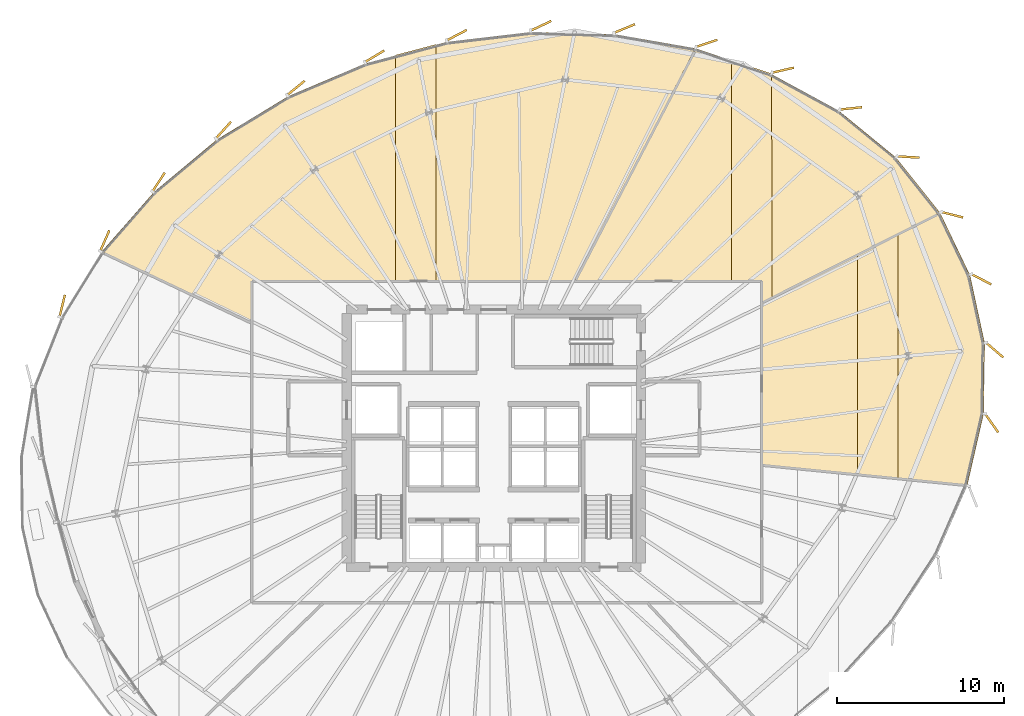
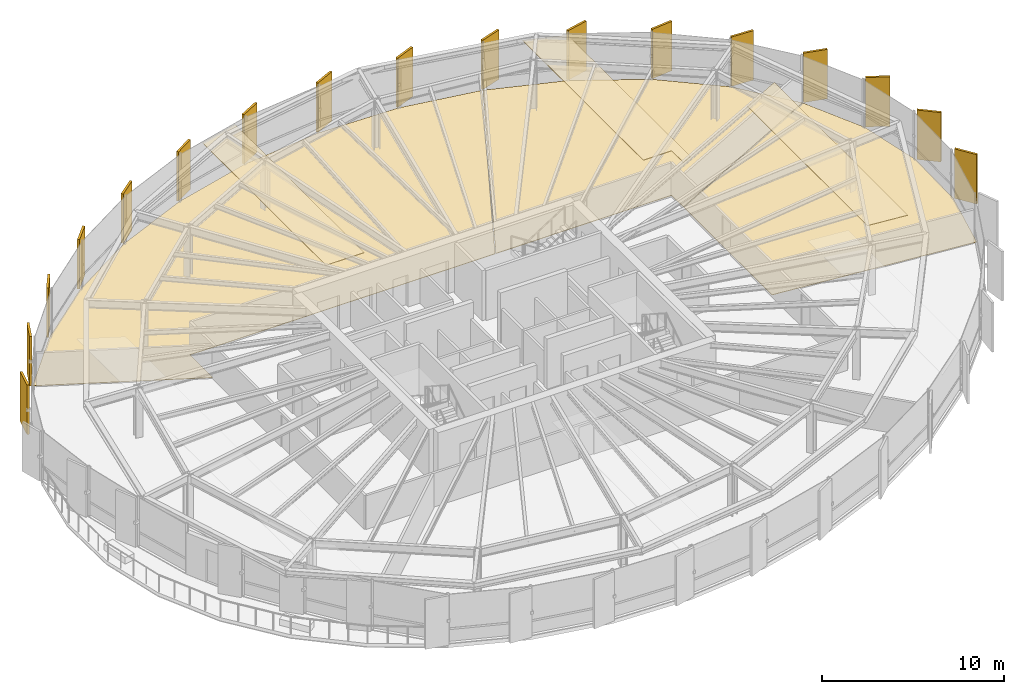
# One storey, part 33 of 33: 23 coverings.
"""IFC4 building model written with IfcOpenShell, lengths in metres."""

from ifc_helpers import new_model, si_unit, direction, frame, origin, origin_2d, place, context, subcontext, project, spatial, polyline, rectangle, outline, extrude, source, transform, mapped, material, layer, layer_set, type_object, element, save


model = new_model("IFC4")

# Units and contexts
model_context = context("Model", 3, precision=1e-05, world=origin(), true_north=direction((0.0, 1.0)))
body_context = subcontext(model_context, "Body", "Model", "MODEL_VIEW")
ifc_project = project(units=[si_unit("LENGTHUNIT", "METRE"), si_unit("AREAUNIT", "SQUARE_METRE"), si_unit("VOLUMEUNIT", "CUBIC_METRE"), si_unit("PLANEANGLEUNIT", "RADIAN"), si_unit("MASSUNIT", "GRAM", prefix="KILO"), si_unit("THERMODYNAMICTEMPERATUREUNIT", "KELVIN")], contexts=[model_context])

# Site, building, storey
site_placement = place(None, origin())
site = spatial("IfcSite", under=ifc_project, at=site_placement, CompositionType="ELEMENT")
building_placement = place(site_placement, origin())
building = spatial("IfcBuilding", under=site, at=building_placement, Name="Kethvar Cultural Tower", CompositionType="ELEMENT")
storey_placement = place(building_placement, frame((0.0, 0.0, 110.800048828125)))
storey = spatial("IfcBuildingStorey", under=building, at=storey_placement, Name="L27", CompositionType="ELEMENT", Elevation=110.800048828125)

# Coverings
ifc_material_1 = material(Name="Acoustic Mineral Fibre Ceiling")
ifc_layer_1 = layer(ifc_material_1, 0.0400390625, Name="Acoustic Mineral Fibre Ceiling")
ifc_layer_set_1 = layer_set([ifc_layer_1], Name="Acoustic Mineral Fibre Ceiling (40 mm)")
covering_type_1 = type_object("IfcCoveringType", Name="CV-ACOUSTIC-CEIL", PredefinedType="CEILING", material=ifc_layer_set_1)
covering_1_placement = place(storey_placement, frame((0.0, 0.0, 3.0)))
element("IfcCovering", 1, at=covering_1_placement, inside=storey, type_object=covering_type_1, Name="L27 Room 03 Acoustic Ceiling Panel", PredefinedType="CEILING", context=body_context, shape_type="SweptSolid", body=[
    extrude(outline(polyline([(68.544189453125, 25.60693359375), (68.544189453125, 38.810302734375), (70.97412109375, 40.0380859375), (70.97412109375, 25.364013671875), (68.544189453125, 25.60693359375)])), origin(), (0.0, 0.0, 1.0), 0.0400390625),
])
covering_2_placement = place(storey_placement, frame((0.0, 0.0, 3.0)))
element("IfcCovering", 2, at=covering_2_placement, inside=storey, type_object=covering_type_1, Name="L27 Room 04 Acoustic Ceiling Panel", PredefinedType="CEILING", context=body_context, shape_type="SweptSolid", body=[
    extrude(outline(polyline([(63.414794921875, 49.61181640625), (63.45068359375, 36.191650390625), (62.82958984375, 35.88037109375), (62.81005859375, 37.179931640625), (61.020751953125, 37.179931640625), (61.020751953125, 50.426025390625), (63.414794921875, 49.61181640625)])), origin(), (0.0, 0.0, 1.0), 0.0400390625),
])
covering_3_placement = place(storey_placement, frame((0.0, 0.0, 3.0)))
element("IfcCovering", 3, at=covering_3_placement, inside=storey, type_object=covering_type_1, Name="L27 Room 05 Acoustic Ceiling Panel", PredefinedType="CEILING", context=body_context, shape_type="SweptSolid", body=[
    extrude(outline(polyline([(43.343994140625, 51.3671875), (43.343994140625, 37.179931640625), (40.9140625, 37.179931640625), (40.9140625, 50.724853515625), (43.343994140625, 51.3671875)])), origin(), (0.0, 0.0, 1.0), 0.0400390625),
])
ifc_material_2 = material(Name="Architectural Oak Timber", Category="wood")
ifc_layer_2 = layer(ifc_material_2, 0.02490234375, Name="Architectural Oak Timber", Category="wood")
ifc_layer_set_2 = layer_set([ifc_layer_2], Name="Architectural Oak Timber (25 mm)")
covering_type_2 = type_object("IfcCoveringType", Name="CV-OAK-FLOOR", PredefinedType="FLOORING", material=ifc_layer_set_2)
covering_4_placement = place(storey_placement, origin())
element("IfcCovering", 4, at=covering_4_placement, inside=storey, type_object=covering_type_2, Name="L27 Room 03 Floor Finish", PredefinedType="FLOORING", context=body_context, shape_type="SweptSolid", body=[
    extrude(outline(polyline([(76.08935546875, 29.2666015625), (75.112060546875, 24.99072265625), (62.85009765625, 26.21630859375), (62.85009765625, 35.88818359375), (73.495361328125, 41.267333984375), (75.27734375, 37.550048828125), (76.151611328125, 33.502685546875), (76.08935546875, 29.2666015625)])), origin(), (0.0, 0.0, 1.0), 0.02490234375),
])
covering_5_placement = place(storey_placement, origin())
element("IfcCovering", 5, at=covering_5_placement, inside=storey, type_object=covering_type_2, Name="L27 Room 04 Floor Finish", PredefinedType="FLOORING", context=body_context, shape_type="SweptSolid", body=[
    extrude(outline(polyline([(63.398681640625, 49.5751953125), (67.43701171875, 47.38232421875), (70.842041015625, 44.593017578125), (73.4736328125, 41.30126953125), (62.85009765625, 35.932861328125), (62.83203125, 37.219970703125), (51.69970703125, 37.219970703125), (58.890380859375, 51.108154296875), (63.398681640625, 49.5751953125)])), origin(), (0.0, 0.0, 1.0), 0.02490234375),
])
covering_6_placement = place(storey_placement, origin())
element("IfcCovering", 6, at=covering_6_placement, inside=storey, type_object=covering_type_2, Name="L27 Room 05 Floor Finish", PredefinedType="FLOORING", context=body_context, shape_type="SweptSolid", body=[
    extrude(outline(polyline([(26.48291015625, 42.526611328125), (30.2373046875, 45.656982421875), (34.4951171875, 48.24462890625), (39.126953125, 50.2109375), (44.00634765625, 51.501220703125), (49.020263671875, 52.087890625), (54.028564453125, 51.95751953125), (58.850341796875, 51.11767578125), (51.65478515625, 37.219970703125), (32.327880859375, 37.219970703125), (32.31005859375, 34.712646484375), (23.3623046875, 38.967529296875), (26.48291015625, 42.526611328125)])), origin(), (0.0, 0.0, 1.0), 0.02490234375),
])
ifc_material_3 = material(Name="Extruded Architectural Terracotta", Category="masonry")
ifc_layer_3 = layer(ifc_material_3, 0.135009765625, Name="Extruded Architectural Terracotta", Category="masonry")
ifc_layer_set_3 = layer_set([ifc_layer_3], Name="Extruded Architectural Terracotta (135 mm)")
covering_type_3 = type_object("IfcCoveringType", Name="Terracotta Facade Fin FIN-02", PredefinedType="CLADDING", material=ifc_layer_set_3)
shared_shape = source(origin(), body_context, "Body", "SweptSolid", [
    extrude(rectangle(XDim=1.35009765625, YDim=0.135009765625, at=origin_2d()), origin(), (0.0, 0.0, 1.0), 3.31005859375),
])
for number, where, z_axis, x_axis, name in (
    (7, (75.952880859375, 37.319580078125, 0.02001953125), (0.0, 0.0, 1.0), (0.890927274328, -0.454146002799, 0.0), "L27 Vertical Terracotta Fin 1.1"),
    (8, (74.22119140625, 41.177734375, 0.02001953125), (0.0, 0.0, 1.0), (0.969015731407, -0.246999012723, 0.0), "L27 Vertical Terracotta Fin 1.2"),
    (9, (71.580810546875, 44.630615234375, 0.02001953125), (0.0, 0.0, 1.0), (0.998391670557, -0.056692787563, 0.0), "L27 Vertical Terracotta Fin 1.3"),
    (10, (68.15771484375, 47.537841796875, 0.02001953125), (0.0, 0.0, 1.0), (0.994809915784, 0.101750830261, 0.0), "L27 Vertical Terracotta Fin 1.4"),
    (11, (64.090087890625, 49.82080078125, 0.02001953125), (0.0, 0.0, 1.0), (0.97440931131, 0.224780991261, 0.0), "L27 Vertical Terracotta Fin 1.5"),
    (12, (59.534912109375, 51.424072265625, 0.02001953125), (0.0, 0.0, 1.0), (0.949041155016, 0.315152163383, 0.0), "L27 Vertical Terracotta Fin 1.6"),
    (13, (54.618408203125, 52.314208984375, 0.02001953125), (0.0, 0.0, 1.0), (0.925540504018, 0.378648617352, 0.0), "L27 Vertical Terracotta Fin 2.1"),
    (14, (49.620849609375, 52.474609375, 0.02001953125), (0.0, 0.0, 1.0), (0.90490135119, 0.425621362969, 0.0), "L27 Vertical Terracotta Fin 2.2"),
    (15, (44.57958984375, 51.912109375, 0.02001953125), (0.0, 0.0, 1.0), (0.885150113672, 0.465305573002, 0.0), "L27 Vertical Terracotta Fin 2.3"),
    (16, (39.667724609375, 50.6513671875, 0.02001953125), (0.0, 0.0, 1.0), (0.857077396545, 0.515187670981, 0.0), "L27 Vertical Terracotta Fin 2.4"),
    (17, (34.966796875, 48.75830078125, 0.02001953125), (0.0, 0.0, 1.0), (0.773950743756, 0.633245802386, 0.0), "L27 Vertical Terracotta Fin 2.5"),
    (18, (30.627685546875, 46.235107421875, 0.02001953125), (0.0, 0.0, 1.0), (0.671461958818, 0.741039025868, 0.0), "L27 Vertical Terracotta Fin 2.6"),
    (19, (26.7529296875, 43.12890625, 0.02001953125), (0.0, 0.0, 1.0), (0.548147261701, 0.836381838331, 0.0), "L27 Vertical Terracotta Fin 3.1"),
    (20, (23.53369140625, 39.62060546875, 0.02001953125), (0.0, 0.0, 1.0), (0.402906435714, 0.915241172621, 0.0), "L27 Vertical Terracotta Fin 3.2"),
    (21, (20.98828125, 35.72705078125, 0.02001953125), (0.0, 0.0, 1.0), (0.235142113103, 0.971961000579, 0.0), "L27 Vertical Terracotta Fin 3.3"),
    (22, (76.578857421875, 28.711669921875, 0.02001953125), (0.0, 0.0, 1.0), (0.576860093202, -0.816842967082, 0.0), "L27 Vertical Terracotta Fin 6.4"),
    (23, (76.760986328125, 33.080810546875, 0.02001953125), (0.0, 0.0, 1.0), (0.757451044777, -0.652891962553, 0.0), "L27 Vertical Terracotta Fin 6.5"),
):
    element("IfcCovering", number, at=place(storey_placement, frame(where, z_axis=z_axis, x_axis=x_axis)), inside=storey, type_object=covering_type_3, Name=name, PredefinedType="CLADDING", context=body_context, shape_type="MappedRepresentation", body=[
        mapped(shared_shape, transform((0.0, 0.0, 0.0), scale=1.0)),
    ])

save(model, "model.ifc")
